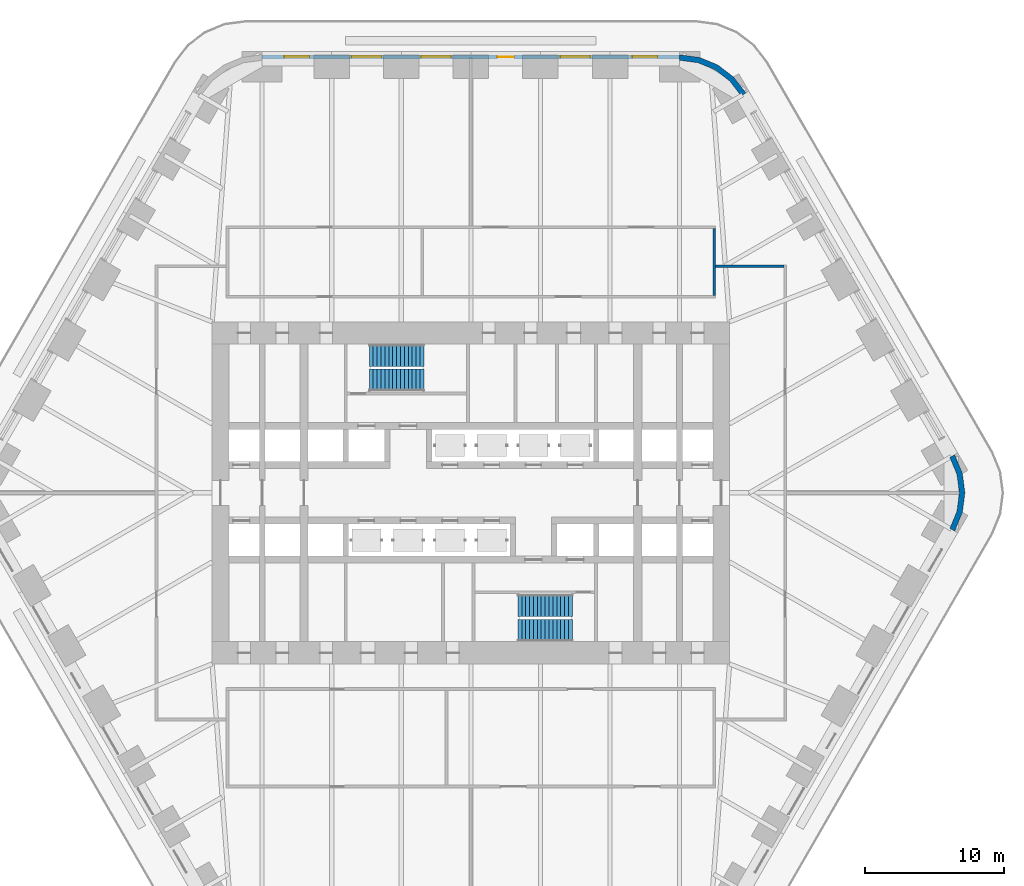
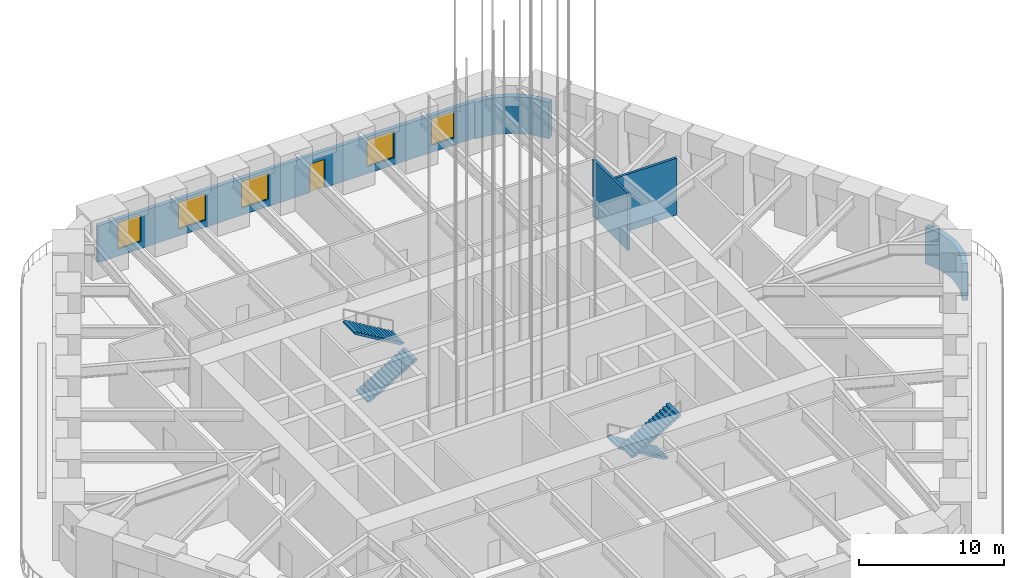
# One storey, part 11 of 15: 5 walls, 5 windows, 4 stair flights, 1 door, 6 openings, 2 elements without a shape of their own.
"""IFC4 building model written with IfcOpenShell, lengths in metres."""

from ifc_helpers import new_model, si_unit, direction, frame, frame_2d, origin, place, context, subcontext, project, spatial, polyline, rectangle, outline, extrude, material, layer, layer_set, type_object, element, fill, aggregate, save


model = new_model("IFC4")

# Units and contexts
model_context = context("Model", 3, precision=1e-05, world=origin(), true_north=direction((0.0, 1.0)))
body_context = subcontext(model_context, "Body", "Model", "MODEL_VIEW")
ifc_project = project(units=[si_unit("LENGTHUNIT", "METRE"), si_unit("AREAUNIT", "SQUARE_METRE"), si_unit("VOLUMEUNIT", "CUBIC_METRE"), si_unit("PLANEANGLEUNIT", "RADIAN"), si_unit("MASSUNIT", "GRAM", prefix="KILO")], contexts=[model_context])

# Site, building, storey
site_placement = place(None, origin())
site = spatial("IfcSite", under=ifc_project, at=site_placement, CompositionType="ELEMENT")
building_placement = place(site_placement, origin())
building = spatial("IfcBuilding", under=site, at=building_placement, Name="Tarfa Lantern Tower", CompositionType="ELEMENT")
storey_placement = place(building_placement, frame((0.0, 0.0, 114.5)))
storey = spatial("IfcBuildingStorey", under=building, at=storey_placement, Name="L25", CompositionType="ELEMENT", Elevation=114.5)

# Wall, openings, door, windows
ifc_material_1 = material(Name="Limestone cladding on blockwork", Category="masonry")
ifc_layer_1 = layer(ifc_material_1, 0.300048828125)
ifc_layer_set_1 = layer_set([ifc_layer_1], Name="EW1 STONE-CLAD WALL 300")
wall_type_1 = type_object("IfcWallType", Name="EW1 STONE-CLAD WALL 300", PredefinedType="SOLIDWALL", material=ifc_layer_set_1)
wall_1_placement = place(storey_placement, frame((15.010986328125, 31.35009765625, 0.0), z_axis=(0.0, 0.0, 1.0), x_axis=(-1.0, 0.0, 0.0)))
wall_1 = element("IfcWall", 1, at=wall_1_placement, inside=storey, type_object=wall_type_1, Name="Stone wall N", PredefinedType="SOLIDWALL", context=body_context, shape_type="SweptSolid", body=[
    extrude(rectangle(XDim=30.02197265625, YDim=0.300048828125, at=frame_2d((15.010986328125, 0.0))), origin(), (0.0, 0.0, 1.0), 3.10009765625),
])
opening_1_placement = place(wall_1_placement, frame((1.601806640625, 0.0, 0.60009765625)))
opening_1 = element("IfcOpeningElement", 2, at=opening_1_placement, cuts=wall_1, Name="Opening W4", PredefinedType="OPENING", context=body_context, shape_type="SweptSolid", body=[
    extrude(rectangle(XDim=1.800048828125, YDim=2.25, at=frame_2d((0.89990234375, 1.125))), frame((0.0, 0.159912109375, 0.0), z_axis=(0.0, -1.0, 0.0), x_axis=(1.0, 0.0, 0.0)), (0.0, 0.0, 1.0), 0.320068359375),
])
opening_2_placement = place(wall_1_placement, frame((6.4306640625, 0.0, 0.60009765625)))
opening_2 = element("IfcOpeningElement", 3, at=opening_2_placement, cuts=wall_1, Name="Opening W5", PredefinedType="OPENING", context=body_context, shape_type="SweptSolid", body=[
    extrude(rectangle(XDim=2.14990234375, YDim=2.25, at=frame_2d((1.074951171875, 1.125))), frame((0.0, 0.159912109375, 0.0), z_axis=(0.0, -1.0, 0.0), x_axis=(1.0, 0.0, 0.0)), (0.0, 0.0, 1.0), 0.320068359375),
])
opening_3_placement = place(wall_1_placement, frame((11.9091796875, 0.0, 0.0)))
opening_3 = element("IfcOpeningElement", 4, at=opening_3_placement, cuts=wall_1, Name="Opening D43", PredefinedType="OPENING", context=body_context, shape_type="SweptSolid", body=[
    extrude(rectangle(XDim=1.199951171875, YDim=2.39990234375, at=frame_2d((0.60009765625, 1.199951171875))), frame((0.0, 0.159912109375, 0.0), z_axis=(0.0, -1.0, 0.0), x_axis=(1.0, 0.0, 0.0)), (0.0, 0.0, 1.0), 0.320068359375),
])
opening_4_placement = place(wall_1_placement, frame((16.43798828125, 0.0, 0.60009765625)))
opening_4 = element("IfcOpeningElement", 5, at=opening_4_placement, cuts=wall_1, Name="Opening W5", PredefinedType="OPENING", context=body_context, shape_type="SweptSolid", body=[
    extrude(rectangle(XDim=2.14990234375, YDim=2.25, at=frame_2d((1.074951171875, 1.125))), frame((0.0, 0.159912109375, 0.0), z_axis=(0.0, -1.0, 0.0), x_axis=(1.0, 0.0, 0.0)), (0.0, 0.0, 1.0), 0.320068359375),
])
opening_5_placement = place(wall_1_placement, frame((21.441650390625, 0.0, 0.60009765625)))
opening_5 = element("IfcOpeningElement", 6, at=opening_5_placement, cuts=wall_1, Name="Opening W5", PredefinedType="OPENING", context=body_context, shape_type="SweptSolid", body=[
    extrude(rectangle(XDim=2.14990234375, YDim=2.25, at=frame_2d((1.074951171875, 1.125))), frame((0.0, 0.159912109375, 0.0), z_axis=(0.0, -1.0, 0.0), x_axis=(1.0, 0.0, 0.0)), (0.0, 0.0, 1.0), 0.320068359375),
])
opening_6_placement = place(wall_1_placement, frame((26.620361328125, 0.0, 0.60009765625)))
opening_6 = element("IfcOpeningElement", 7, at=opening_6_placement, cuts=wall_1, Name="Opening W4", PredefinedType="OPENING", context=body_context, shape_type="SweptSolid", body=[
    extrude(rectangle(XDim=1.800048828125, YDim=2.25, at=frame_2d((0.89990234375, 1.125))), frame((0.0, 0.159912109375, 0.0), z_axis=(0.0, -1.0, 0.0), x_axis=(1.0, 0.0, 0.0)), (0.0, 0.0, 1.0), 0.320068359375),
])
ifc_material_2 = material(Name="Aluminium framed glazed door", Category="aluminium")
door_type = type_object("IfcDoorType", Name="BE3 BALCONY DOOR 1200x2400", OperationType="SINGLE_SWING_RIGHT", PredefinedType="DOOR", material=ifc_material_2)
door_placement = place(opening_3_placement, origin())
door = element("IfcDoor", 8, at=door_placement, inside=storey, type_object=door_type, Name="Balcony door N", OperationType="SINGLE_SWING_LEFT", OverallHeight=2.39990234375, OverallWidth=1.199951171875, PredefinedType="DOOR", context=body_context, shape_type="SweptSolid", body=[
    extrude(rectangle(XDim=1.199951171875, YDim=2.39990234375, at=frame_2d((0.60009765625, 1.199951171875))), frame((0.0, 0.02490234375, 0.0), z_axis=(0.0, -1.0, 0.0), x_axis=(1.0, 0.0, 0.0)), (0.0, 0.0, 1.0), 0.050048828125),
])
fill(opening_3, door)
ifc_material_3 = material(Name="Aluminium frame, double glazed", Category="aluminium")
window_type_1 = type_object("IfcWindowType", Name="W4 FULL-HEIGHT GLAZING 1800x2250", PartitioningType="SINGLE_PANEL", PredefinedType="WINDOW", material=ifc_material_3)
window_1_placement = place(opening_1_placement, origin())
window_1 = element("IfcWindow", 9, at=window_1_placement, inside=storey, type_object=window_type_1, Name="Window N 1", OverallHeight=2.25, OverallWidth=1.800048828125, PartitioningType="SINGLE_PANEL", PredefinedType="WINDOW", context=body_context, shape_type="SweptSolid", body=[
    extrude(rectangle(XDim=1.800048828125, YDim=2.25, at=frame_2d((0.89990234375, 1.125))), frame((0.0, 0.030029296875, 0.0), z_axis=(0.0, -1.0, 0.0), x_axis=(1.0, 0.0, 0.0)), (0.0, 0.0, 1.0), 0.06005859375),
])
fill(opening_1, window_1)
window_2_placement = place(opening_6_placement, origin())
window_2 = element("IfcWindow", 10, at=window_2_placement, inside=storey, type_object=window_type_1, Name="Window N 6", OverallHeight=2.25, OverallWidth=1.800048828125, PartitioningType="SINGLE_PANEL", PredefinedType="WINDOW", context=body_context, shape_type="SweptSolid", body=[
    extrude(rectangle(XDim=1.800048828125, YDim=2.25, at=frame_2d((0.89990234375, 1.125))), frame((0.0, 0.030029296875, 0.0), z_axis=(0.0, -1.0, 0.0), x_axis=(1.0, 0.0, 0.0)), (0.0, 0.0, 1.0), 0.06005859375),
])
fill(opening_6, window_2)
window_type_2 = type_object("IfcWindowType", Name="W5 FULL-HEIGHT GLAZING 2150x2250", PartitioningType="SINGLE_PANEL", PredefinedType="WINDOW", material=ifc_material_3)
window_3_placement = place(opening_2_placement, origin())
window_3 = element("IfcWindow", 11, at=window_3_placement, inside=storey, type_object=window_type_2, Name="Window N 2", OverallHeight=2.25, OverallWidth=2.14990234375, PartitioningType="SINGLE_PANEL", PredefinedType="WINDOW", context=body_context, shape_type="SweptSolid", body=[
    extrude(rectangle(XDim=2.14990234375, YDim=2.25, at=frame_2d((1.074951171875, 1.125))), frame((0.0, 0.030029296875, 0.0), z_axis=(0.0, -1.0, 0.0), x_axis=(1.0, 0.0, 0.0)), (0.0, 0.0, 1.0), 0.06005859375),
])
fill(opening_2, window_3)
window_4_placement = place(opening_4_placement, origin())
window_4 = element("IfcWindow", 12, at=window_4_placement, inside=storey, type_object=window_type_2, Name="Window N 4", OverallHeight=2.25, OverallWidth=2.14990234375, PartitioningType="SINGLE_PANEL", PredefinedType="WINDOW", context=body_context, shape_type="SweptSolid", body=[
    extrude(rectangle(XDim=2.14990234375, YDim=2.25, at=frame_2d((1.074951171875, 1.125))), frame((0.0, 0.030029296875, 0.0), z_axis=(0.0, -1.0, 0.0), x_axis=(1.0, 0.0, 0.0)), (0.0, 0.0, 1.0), 0.06005859375),
])
fill(opening_4, window_4)
window_5_placement = place(opening_5_placement, origin())
window_5 = element("IfcWindow", 13, at=window_5_placement, inside=storey, type_object=window_type_2, Name="Window N 5", OverallHeight=2.25, OverallWidth=2.14990234375, PartitioningType="SINGLE_PANEL", PredefinedType="WINDOW", context=body_context, shape_type="SweptSolid", body=[
    extrude(rectangle(XDim=2.14990234375, YDim=2.25, at=frame_2d((1.074951171875, 1.125))), frame((0.0, 0.030029296875, 0.0), z_axis=(0.0, -1.0, 0.0), x_axis=(1.0, 0.0, 0.0)), (0.0, 0.0, 1.0), 0.06005859375),
])
fill(opening_5, window_5)

# Walls
ifc_layer_2 = layer(ifc_material_1, 0.39990234375)
ifc_layer_set_2 = layer_set([ifc_layer_2], Name="EW2 CURVED STONE CORNER 400")
wall_type_2 = type_object("IfcWallType", Name="EW2 CURVED STONE CORNER 400", PredefinedType="SOLIDWALL", material=ifc_layer_set_2)
wall_2_placement = place(storey_placement, origin())
element("IfcWall", 14, at=wall_2_placement, inside=storey, type_object=wall_type_2, Name="Stone corner NE-N", PredefinedType="SOLIDWALL", context=body_context, shape_type="SweptSolid", body=[
    extrude(outline(polyline([(19.774169921875, 28.75), (18.900146484375, 29.88916015625), (17.760986328125, 30.76318359375), (16.4345703125, 31.3125), (15.010986328125, 31.5), (15.010986328125, 31.10009765625), (16.3310546875, 30.92626953125), (17.56103515625, 30.416748046875), (18.617431640625, 29.606201171875), (19.427734375, 28.550048828125), (19.774169921875, 28.75)])), origin(), (0.0, 0.0, 1.0), 3.10009765625),
])
wall_3_placement = place(storey_placement, origin())
element("IfcWall", 15, at=wall_3_placement, inside=storey, type_object=wall_type_2, Name="Stone corner SE-NE", PredefinedType="SOLIDWALL", context=body_context, shape_type="SweptSolid", body=[
    extrude(outline(polyline([(34.785400390625, -2.75), (35.334716796875, -1.423583984375), (35.522216796875, 0.0), (35.334716796875, 1.423583984375), (34.785400390625, 2.75), (34.43896484375, 2.550048828125), (34.948486328125, 1.320068359375), (35.122314453125, 0.0), (34.948486328125, -1.320068359375), (34.43896484375, -2.550048828125), (34.785400390625, -2.75)])), origin(), (0.0, 0.0, 1.0), 3.10009765625),
])
ifc_material_4 = material(Name="Gypsum board on steel studs", Category="steel")
ifc_layer_3 = layer(ifc_material_4, 0.2099609375)
ifc_layer_set_3 = layer_set([ifc_layer_3], Name="IW2 ACOUSTIC PARTITION 200")
wall_type_3 = type_object("IfcWallType", Name="IW2 ACOUSTIC PARTITION 200", PredefinedType="PARTITIONING", material=ifc_layer_set_3)
wall_4_placement = place(storey_placement, frame((17.5, 14.199951171875, 0.0), z_axis=(0.0, 0.0, 1.0), x_axis=(0.0, 1.0, 0.0)))
element("IfcWall", 16, at=wall_4_placement, inside=storey, type_object=wall_type_3, Name="Partition", PredefinedType="PARTITIONING", context=body_context, shape_type="SweptSolid", body=[
    extrude(rectangle(XDim=4.800048828125, YDim=0.199951171875, at=frame_2d((2.39990234375, 0.0))), origin(), (0.0, 0.0, 1.0), 4.800048828125),
])
wall_5_placement = place(storey_placement, frame((17.60009765625, 16.300048828125, 0.0), z_axis=(0.0, 0.0, 1.0), x_axis=(1.0, 0.0, 0.0)))
element("IfcWall", 17, at=wall_5_placement, inside=storey, type_object=wall_type_3, Name="Partition", PredefinedType="PARTITIONING", context=body_context, shape_type="SweptSolid", body=[
    extrude(rectangle(XDim=4.89990234375, YDim=0.199951171875, at=frame_2d((2.449951171875, 0.0))), origin(), (0.0, 0.0, 1.0), 4.800048828125),
])

# Stair, stair flights
ifc_material_5 = material(Name="Concrete C40/50", Category="concrete")
stair_type = type_object("IfcStairType", Name="ST-T9 HALF-TURN STAIR 5000 RISE", PredefinedType="HALF_TURN_STAIR", material=ifc_material_5)
stair_1_placement = place(storey_placement, origin())
stair_1 = element("IfcStair", 18, at=stair_1_placement, inside=storey, type_object=stair_type, Name="Stair ST1", PredefinedType="HALF_TURN_STAIR")
stair_flight_type = type_object("IfcStairFlightType", Name="SF1 STAIR FLIGHT", PredefinedType="STRAIGHT", material=ifc_material_5)
stair_flight_1_placement = place(storey_placement, frame((-7.300048828125, 8.10009765625, 0.0), z_axis=(0.0, 0.0, 1.0), x_axis=(1.0, 0.0, 0.0)))
stair_flight_1 = element("IfcStairFlight", 19, at=stair_flight_1_placement, type_object=stair_flight_type, Name="ST1 flight 1", NumberOfRisers=15, NumberOfTreads=14, PredefinedType="STRAIGHT", RiserHeight=0.166666667, TreadLength=0.28, context=body_context, shape_type="SweptSolid", body=[
    extrude(outline(polyline([(0.0, 0.0), (0.0, 0.166748046875), (0.280029296875, 0.166748046875), (0.280029296875, 0.333251953125), (0.56005859375, 0.333251953125), (0.56005859375, 0.5), (0.840087890625, 0.5), (0.840087890625, 0.666748046875), (1.1201171875, 0.666748046875), (1.1201171875, 0.833251953125), (1.39990234375, 0.833251953125), (1.39990234375, 1.0), (1.679931640625, 1.0), (1.679931640625, 1.166748046875), (1.9599609375, 1.166748046875), (1.9599609375, 1.333251953125), (2.239990234375, 1.333251953125), (2.239990234375, 1.5), (2.52001953125, 1.5), (2.52001953125, 1.666748046875), (2.800048828125, 1.666748046875), (2.800048828125, 1.833251953125), (3.080078125, 1.833251953125), (3.080078125, 2.0), (3.360107421875, 2.0), (3.360107421875, 2.166748046875), (3.639892578125, 2.166748046875), (3.639892578125, 2.333251953125), (3.919921875, 2.333251953125), (3.919921875, 2.5), (3.919921875, 2.158935546875), (0.29296875, 0.0), (0.0, 0.0)])), frame((0.0, 0.800048828125, 0.0), z_axis=(0.0, -1.0, 0.0), x_axis=(1.0, 0.0, 0.0)), (0.0, 0.0, 1.0), 1.60009765625),
])
stair_flight_2_placement = place(storey_placement, frame((-3.3798828125, 9.89990234375, 2.5), z_axis=(0.0, 0.0, 1.0), x_axis=(-1.0, 0.0, 0.0)))
stair_flight_2 = element("IfcStairFlight", 20, at=stair_flight_2_placement, type_object=stair_flight_type, Name="ST1 flight 2", NumberOfRisers=15, NumberOfTreads=14, PredefinedType="STRAIGHT", RiserHeight=0.166666667, TreadLength=0.28, context=body_context, shape_type="SweptSolid", body=[
    extrude(outline(polyline([(0.0, 0.0), (0.0, 0.166748046875), (0.280029296875, 0.166748046875), (0.280029296875, 0.333251953125), (0.56005859375, 0.333251953125), (0.56005859375, 0.5), (0.840087890625, 0.5), (0.840087890625, 0.666748046875), (1.1201171875, 0.666748046875), (1.1201171875, 0.833251953125), (1.39990234375, 0.833251953125), (1.39990234375, 1.0), (1.679931640625, 1.0), (1.679931640625, 1.166748046875), (1.9599609375, 1.166748046875), (1.9599609375, 1.333251953125), (2.239990234375, 1.333251953125), (2.239990234375, 1.5), (2.52001953125, 1.5), (2.52001953125, 1.666748046875), (2.800048828125, 1.666748046875), (2.800048828125, 1.833251953125), (3.080078125, 1.833251953125), (3.080078125, 2.0), (3.360107421875, 2.0), (3.360107421875, 2.166748046875), (3.639892578125, 2.166748046875), (3.639892578125, 2.333251953125), (3.919921875, 2.333251953125), (3.919921875, 2.5), (3.919921875, 2.158935546875), (0.29296875, 0.0), (0.0, 0.0)])), frame((0.0, 0.800048828125, 0.0), z_axis=(0.0, -1.0, 0.0), x_axis=(1.0, 0.0, 0.0)), (0.0, 0.0, 1.0), 1.60009765625),
])
aggregate(stair_1, [stair_flight_1, stair_flight_2])

stair_2_placement = place(storey_placement, origin())
stair_2 = element("IfcStair", 21, at=stair_2_placement, inside=storey, type_object=stair_type, Name="Stair ST2", PredefinedType="HALF_TURN_STAIR")
stair_flight_3_placement = place(storey_placement, frame((7.300048828125, -8.10009765625, 0.0), z_axis=(0.0, 0.0, 1.0), x_axis=(-1.0, 0.0, 0.0)))
stair_flight_3 = element("IfcStairFlight", 22, at=stair_flight_3_placement, type_object=stair_flight_type, Name="ST2 flight 1", NumberOfRisers=15, NumberOfTreads=14, PredefinedType="STRAIGHT", RiserHeight=0.166666667, TreadLength=0.28, context=body_context, shape_type="SweptSolid", body=[
    extrude(outline(polyline([(0.0, 0.0), (0.0, 0.166748046875), (0.280029296875, 0.166748046875), (0.280029296875, 0.333251953125), (0.56005859375, 0.333251953125), (0.56005859375, 0.5), (0.840087890625, 0.5), (0.840087890625, 0.666748046875), (1.1201171875, 0.666748046875), (1.1201171875, 0.833251953125), (1.39990234375, 0.833251953125), (1.39990234375, 1.0), (1.679931640625, 1.0), (1.679931640625, 1.166748046875), (1.9599609375, 1.166748046875), (1.9599609375, 1.333251953125), (2.239990234375, 1.333251953125), (2.239990234375, 1.5), (2.52001953125, 1.5), (2.52001953125, 1.666748046875), (2.800048828125, 1.666748046875), (2.800048828125, 1.833251953125), (3.080078125, 1.833251953125), (3.080078125, 2.0), (3.360107421875, 2.0), (3.360107421875, 2.166748046875), (3.639892578125, 2.166748046875), (3.639892578125, 2.333251953125), (3.919921875, 2.333251953125), (3.919921875, 2.5), (3.919921875, 2.158935546875), (0.29296875, 0.0), (0.0, 0.0)])), frame((0.0, 0.800048828125, 0.0), z_axis=(0.0, -1.0, 0.0), x_axis=(1.0, 0.0, 0.0)), (0.0, 0.0, 1.0), 1.60009765625),
])
stair_flight_4_placement = place(storey_placement, frame((3.3798828125, -9.89990234375, 2.5), z_axis=(0.0, 0.0, 1.0), x_axis=(1.0, 0.0, 0.0)))
stair_flight_4 = element("IfcStairFlight", 23, at=stair_flight_4_placement, type_object=stair_flight_type, Name="ST2 flight 2", NumberOfRisers=15, NumberOfTreads=14, PredefinedType="STRAIGHT", RiserHeight=0.166666667, TreadLength=0.28, context=body_context, shape_type="SweptSolid", body=[
    extrude(outline(polyline([(0.0, 0.0), (0.0, 0.166748046875), (0.280029296875, 0.166748046875), (0.280029296875, 0.333251953125), (0.56005859375, 0.333251953125), (0.56005859375, 0.5), (0.840087890625, 0.5), (0.840087890625, 0.666748046875), (1.1201171875, 0.666748046875), (1.1201171875, 0.833251953125), (1.39990234375, 0.833251953125), (1.39990234375, 1.0), (1.679931640625, 1.0), (1.679931640625, 1.166748046875), (1.9599609375, 1.166748046875), (1.9599609375, 1.333251953125), (2.239990234375, 1.333251953125), (2.239990234375, 1.5), (2.52001953125, 1.5), (2.52001953125, 1.666748046875), (2.800048828125, 1.666748046875), (2.800048828125, 1.833251953125), (3.080078125, 1.833251953125), (3.080078125, 2.0), (3.360107421875, 2.0), (3.360107421875, 2.166748046875), (3.639892578125, 2.166748046875), (3.639892578125, 2.333251953125), (3.919921875, 2.333251953125), (3.919921875, 2.5), (3.919921875, 2.158935546875), (0.29296875, 0.0), (0.0, 0.0)])), frame((0.0, 0.800048828125, 0.0), z_axis=(0.0, -1.0, 0.0), x_axis=(1.0, 0.0, 0.0)), (0.0, 0.0, 1.0), 1.60009765625),
])
aggregate(stair_2, [stair_flight_3, stair_flight_4])

save(model, "model.ifc")
